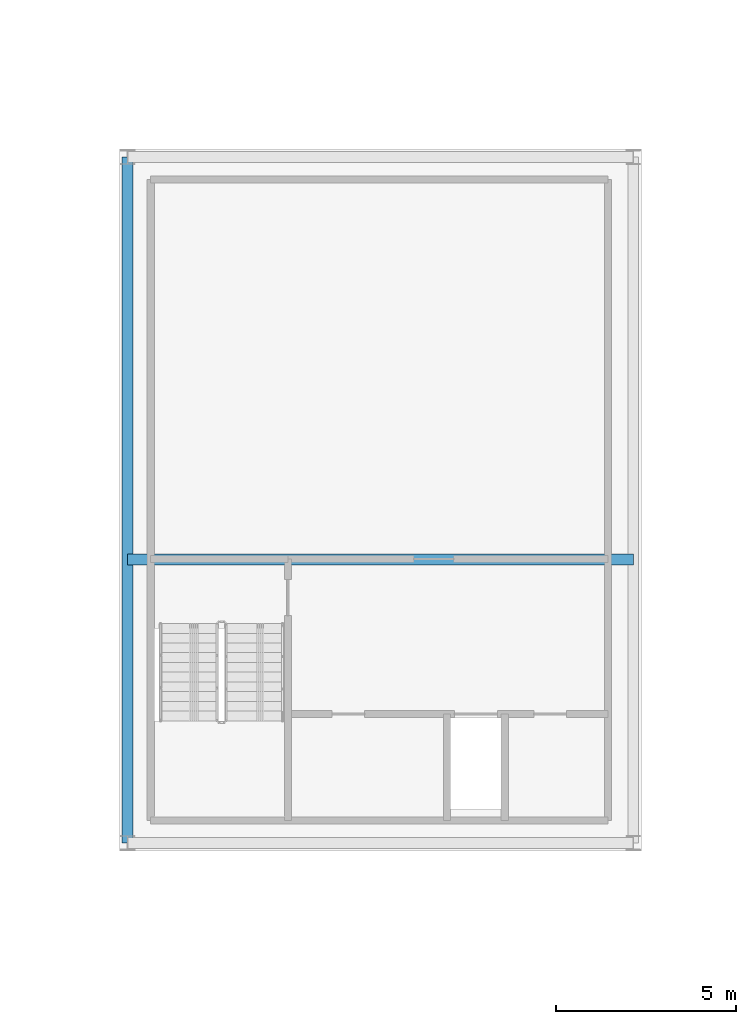
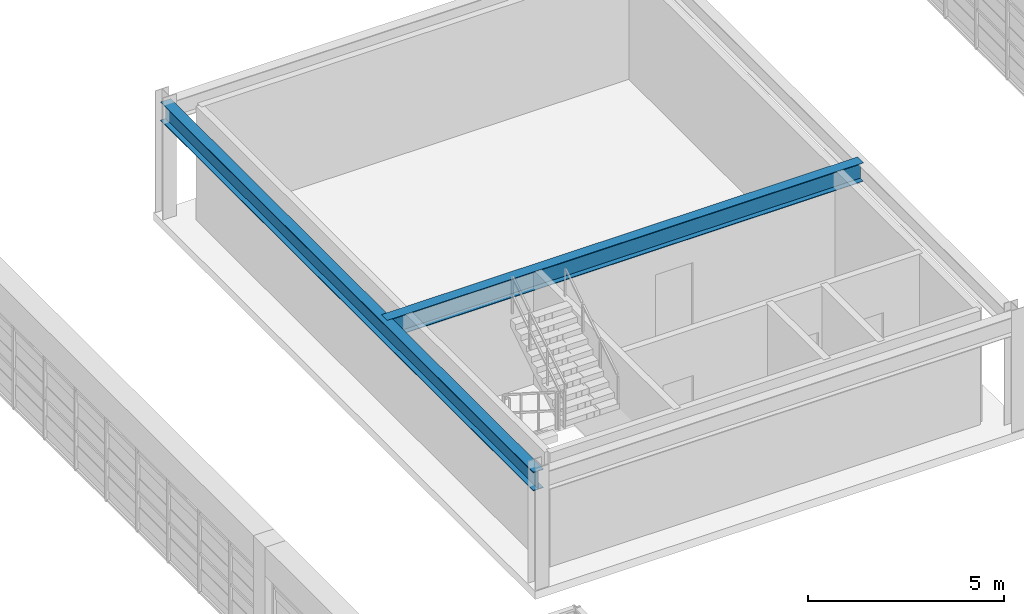
# One storey, part 11 of 27: 2 beams.
"""IFC4 building model written with IfcOpenShell, lengths in metres."""

from ifc_helpers import new_model, si_unit, direction, frame, origin, origin_2d, place, context, subcontext, project, spatial, i_section, extrude, source, transform, mapped, material, material_profile, profile_set, type_object, element, save


model = new_model("IFC4")

# Units and contexts
model_context = context("Model", 3, precision=1e-05, world=origin(), true_north=direction((0.0, 1.0)))
body_context = subcontext(model_context, "Body", "Model", "MODEL_VIEW")
ifc_project = project(units=[si_unit("LENGTHUNIT", "METRE"), si_unit("AREAUNIT", "SQUARE_METRE"), si_unit("VOLUMEUNIT", "CUBIC_METRE"), si_unit("PLANEANGLEUNIT", "RADIAN"), si_unit("MASSUNIT", "GRAM", prefix="KILO")], contexts=[model_context])

# Site, building, storey
site_placement = place(None, origin())
site = spatial("IfcSite", under=ifc_project, at=site_placement, CompositionType="ELEMENT")
building_placement = place(site_placement, origin())
building = spatial("IfcBuilding", under=site, at=building_placement, Name="Saelheon Loggia Tower", CompositionType="ELEMENT")
storey_placement = place(building_placement, frame((0.0, 0.0, 256.0)))
storey = spatial("IfcBuildingStorey", under=building, at=storey_placement, Name="CR2", CompositionType="ELEMENT", Elevation=256.0)

# Beams
ifc_material = material(Name="Steel SM355", Category="steel")
ifc_material_profile = material_profile(ifc_material, i_section(OverallWidth=0.300048828125, OverallDepth=0.587890625, WebThickness=0.011962890625, FlangeThickness=0.02001953125, at=origin_2d()), Name="H-588x300x12x20")
ifc_profile_set = profile_set([ifc_material_profile], Name="Steel SM355")
beam_type = type_object("IfcBeamType", Name="Beam_Girder_Steel_H588", PredefinedType="BEAM", material=ifc_profile_set)
shared_shape_1 = source(origin(), body_context, "Body", "SweptSolid", [
    extrude(i_section(OverallWidth=0.300048828125, OverallDepth=0.587890625, WebThickness=0.011962890625, FlangeThickness=0.02001953125, at=origin_2d()), origin(), (0.0, 0.0, 1.0), 14.0400390625),
])
beam_1_placement = place(storey_placement, frame((30.97998046875, 25.35009765625, 3.256103515625), z_axis=(1.0, 0.0, 0.0), x_axis=(0.0, 1.0, 0.0)))
element("IfcBeam", 1, at=beam_1_placement, inside=storey, type_object=beam_type, Name="BM-CR2-PL-ST5", PredefinedType="BEAM", context=body_context, shape_type="MappedRepresentation", body=[
    mapped(shared_shape_1, transform((0.0, 0.0, 0.0), scale=1.0)),
])
shared_shape_2 = source(origin(), body_context, "Body", "SweptSolid", [
    extrude(i_section(OverallWidth=0.300048828125, OverallDepth=0.587890625, WebThickness=0.011962890625, FlangeThickness=0.02001953125, at=origin_2d()), origin(), (0.0, 0.0, 1.0), 19.0400390625),
])
beam_2_placement = place(storey_placement, frame((30.97998046875, 17.47998046875, 3.256103515625), z_axis=(0.0, 1.0, 0.0), x_axis=(-1.0, 0.0, 0.0)))
element("IfcBeam", 2, at=beam_2_placement, inside=storey, type_object=beam_type, Name="BM-CR2-PL-W", PredefinedType="BEAM", context=body_context, shape_type="MappedRepresentation", body=[
    mapped(shared_shape_2, transform((0.0, 0.0, 0.0), scale=1.0)),
])

save(model, "model.ifc")
